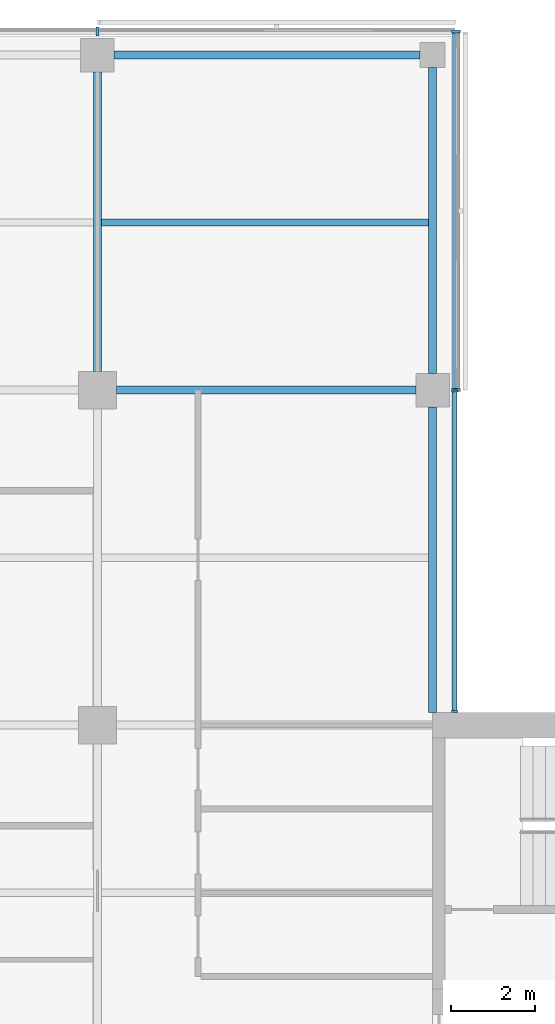
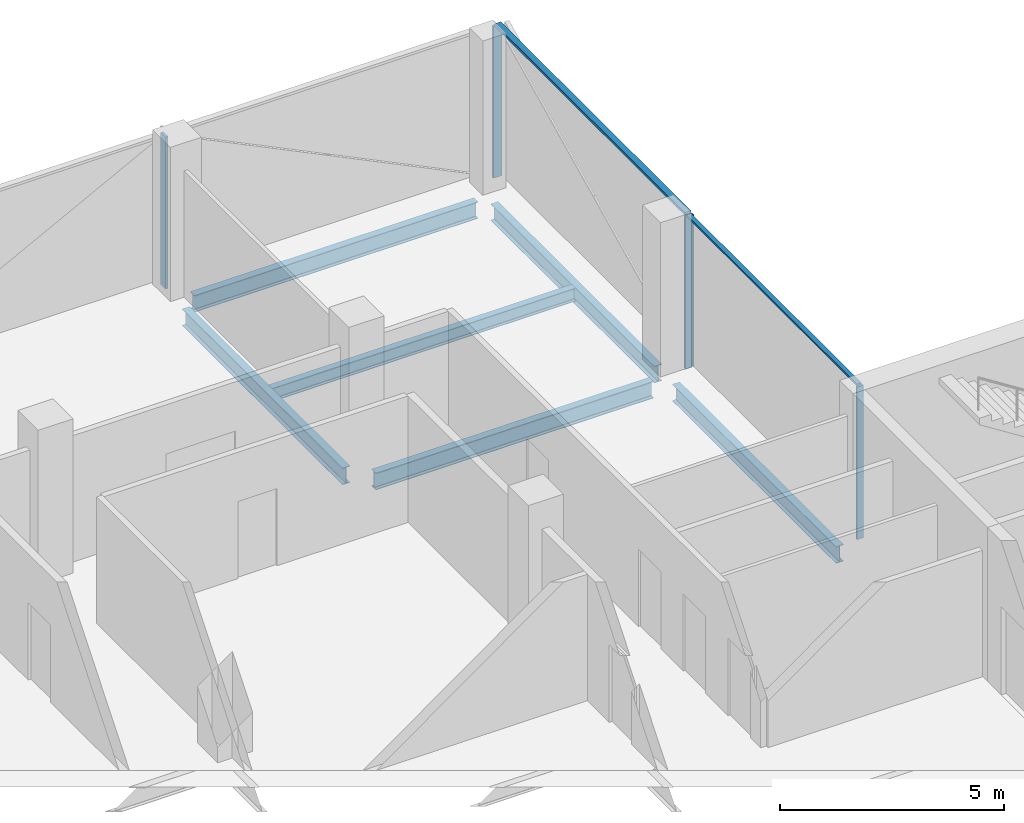
# One storey, part 7 of 15: 7 members, 6 beams, 3 elements without a shape of their own.
"""IFC4 building model written with IfcOpenShell, lengths in metres."""

from ifc_helpers import new_model, si_unit, direction, frame, origin, origin_2d, place, context, subcontext, project, spatial, rectangle, i_section, extrude, material, material_profile, profile_set, type_object, element, aggregate, save


model = new_model("IFC4")

# Units and contexts
model_context = context("Model", 3, precision=1e-05, world=origin(), true_north=direction((0.0, 1.0)))
body_context = subcontext(model_context, "Body", "Model", "MODEL_VIEW")
ifc_project = project(units=[si_unit("LENGTHUNIT", "METRE"), si_unit("AREAUNIT", "SQUARE_METRE"), si_unit("VOLUMEUNIT", "CUBIC_METRE"), si_unit("PLANEANGLEUNIT", "RADIAN"), si_unit("MASSUNIT", "GRAM", prefix="KILO")], contexts=[model_context])

# Site, building, storey
site_placement = place(None, origin())
site = spatial("IfcSite", under=ifc_project, at=site_placement, CompositionType="ELEMENT")
building_placement = place(site_placement, origin())
building = spatial("IfcBuilding", under=site, at=building_placement, Name="Crosswind Convention Tower", CompositionType="ELEMENT")
storey_placement = place(building_placement, frame((0.0, 0.0, 229.300048828125)))
storey = spatial("IfcBuildingStorey", under=building, at=storey_placement, Name="L49", CompositionType="ELEMENT", Elevation=229.300048828125)

# Beams
ifc_material_1 = material(Name="Steel S355", Category="steel")
ifc_material_profile_1 = material_profile(ifc_material_1, i_section(OverallWidth=0.18994140625, OverallDepth=0.45361328125, WebThickness=0.008544921875, FlangeThickness=0.0126953125, FilletRadius=0.01025390625, at=origin_2d()), Name="UB 457x191x67")
ifc_profile_set_1 = profile_set([ifc_material_profile_1], Name="Steel S355")
beam_type_1 = type_object("IfcBeamType", Name="Edge beam UB 457x191x67", PredefinedType="SPANDREL", material=ifc_profile_set_1)
for number, where, z_axis, x_axis, name in (
    (1, (129.39990234375, 128.0, -0.52685546875), (1.0, 0.0, 0.0), (0.0, 1.0, 0.0), "B16 L49 edge beam 10"),
    (2, (137.0, 112.300048828125, -0.52685546875), (0.0, 1.0, 0.0), (-1.0, 0.0, 0.0), "B16 L49 edge beam 13"),
    (3, (137.0, 120.39990234375, -0.52685546875), (0.0, 1.0, 0.0), (-1.0, 0.0, 0.0), "B16 L49 edge beam 14"),
):
    element("IfcBeam", number, at=place(storey_placement, frame(where, z_axis=z_axis, x_axis=x_axis)), inside=storey, type_object=beam_type_1, Name=name, PredefinedType="SPANDREL", context=body_context, shape_type="SweptSolid", body=[
        extrude(i_section(OverallWidth=0.18994140625, OverallDepth=0.45361328125, WebThickness=0.008544921875, FlangeThickness=0.0126953125, FilletRadius=0.01025390625, at=origin_2d()), origin(), (0.0, 0.0, 1.0), 7.300048828125),
    ])
ifc_material_profile_2 = material_profile(ifc_material_1, i_section(OverallWidth=0.1904296875, OverallDepth=0.457275390625, WebThickness=0.009033203125, FlangeThickness=0.014404296875, FilletRadius=0.01025390625, at=origin_2d()), Name="UB 457x191x75")
ifc_profile_set_2 = profile_set([ifc_material_profile_2], Name="Steel S355")
beam_type_2 = type_object("IfcBeamType", Name="Girder UB 457x191x75", PredefinedType="BEAM", material=ifc_profile_set_2)
for number, where, z_axis, x_axis, name in (
    (4, (129.0, 120.449951171875, -0.528564453125), (0.0, 1.0, 0.0), (-1.0, 0.0, 0.0), "B2 L49 girder 22"),
    (5, (129.449951171875, 120.0, -0.528564453125), (1.0, 0.0, 0.0), (0.0, 1.0, 0.0), "B2 L49 girder 24"),
):
    element("IfcBeam", number, at=place(storey_placement, frame(where, z_axis=z_axis, x_axis=x_axis)), inside=storey, type_object=beam_type_2, Name=name, PredefinedType="BEAM", context=body_context, shape_type="SweptSolid", body=[
        extrude(i_section(OverallWidth=0.1904296875, OverallDepth=0.457275390625, WebThickness=0.009033203125, FlangeThickness=0.014404296875, FilletRadius=0.01025390625, at=origin_2d()), origin(), (0.0, 0.0, 1.0), 7.150146484375),
    ])

# Curtain wall, members
ifc_material_2 = material(Name="Aluminium unitised curtain wall", Category="aluminium")
curtain_wall_type_1 = type_object("IfcCurtainWallType", Name="CORE END SLOT WALL 160", PredefinedType="USERDEFINED", material=ifc_material_2)
curtain_wall_1_placement = place(storey_placement, origin())
curtain_wall_1 = element("IfcCurtainWall", 6, at=curtain_wall_1_placement, inside=storey, type_object=curtain_wall_type_1, Name="CW6 L49 N-E.1-1 slot", ObjectType="UNITISED", PredefinedType="USERDEFINED")
ifc_material_3 = material(Name="Aluminium mullion", Category="aluminium")
ifc_material_profile_3 = material_profile(ifc_material_3, rectangle(XDim=0.159912109375, YDim=0.050048828125, at=origin_2d()), Name="AL 160X50")
ifc_profile_set_3 = profile_set([ifc_material_profile_3], Name="Aluminium mullion")
member_type_1 = type_object("IfcMemberType", Name="MULLION 50X160", PredefinedType="MULLION", material=ifc_profile_set_3)
member_1_placement = place(storey_placement, frame((137.530029296875, 112.324951171875, -0.300048828125), z_axis=(0.0, 0.0, 1.0), x_axis=(1.0, 0.0, 0.0)))
member_1 = element("IfcMember", 7, at=member_1_placement, type_object=member_type_1, Name="CW6 mullion 1", PredefinedType="MULLION", context=body_context, shape_type="SweptSolid", body=[
    extrude(rectangle(XDim=0.159912109375, YDim=0.050048828125, at=origin_2d()), origin(), (0.0, 0.0, 1.0), 4.14990234375),
])
member_2_placement = place(storey_placement, frame((137.530029296875, 119.97509765625, -0.300048828125), z_axis=(0.0, 0.0, 1.0), x_axis=(1.0, 0.0, 0.0)))
member_2 = element("IfcMember", 8, at=member_2_placement, type_object=member_type_1, Name="CW6 mullion 2", PredefinedType="MULLION", context=body_context, shape_type="SweptSolid", body=[
    extrude(rectangle(XDim=0.159912109375, YDim=0.050048828125, at=origin_2d()), origin(), (0.0, 0.0, 1.0), 4.14990234375),
])

curtain_wall_type_2 = type_object("IfcCurtainWallType", Name="OFFICE UNITISED WALL 220", PredefinedType="USERDEFINED", material=ifc_material_2)
curtain_wall_2_placement = place(storey_placement, origin())
curtain_wall_2 = element("IfcCurtainWall", 9, at=curtain_wall_2_placement, inside=storey, type_object=curtain_wall_type_2, Name="CW3 L49 N-E 1", ObjectType="UNITISED", PredefinedType="USERDEFINED")
ifc_material_profile_4 = material_profile(ifc_material_3, rectangle(XDim=0.219970703125, YDim=0.070068359375, at=origin_2d()), Name="AL 220X70")
ifc_profile_set_4 = profile_set([ifc_material_profile_4], Name="Aluminium mullion")
member_type_2 = type_object("IfcMemberType", Name="MULLION 70X220", PredefinedType="MULLION", material=ifc_profile_set_4)
member_3_placement = place(storey_placement, frame((137.56005859375, 120.0, -0.300048828125), z_axis=(0.0, 0.0, 1.0), x_axis=(1.0, 0.0, 0.0)))
member_3 = element("IfcMember", 10, at=member_3_placement, type_object=member_type_2, Name="CW3 mullion 1", PredefinedType="MULLION", context=body_context, shape_type="SweptSolid", body=[
    extrude(rectangle(XDim=0.219970703125, YDim=0.070068359375, at=origin_2d()), origin(), (0.0, 0.0, 1.0), 4.1298828125),
])
member_4_placement = place(storey_placement, frame((137.56005859375, 128.56005859375, -0.300048828125), z_axis=(0.0, 0.0, 1.0), x_axis=(1.0, 0.0, 0.0)))
member_4 = element("IfcMember", 11, at=member_4_placement, type_object=member_type_2, Name="CW3 mullion 2", PredefinedType="MULLION", context=body_context, shape_type="SweptSolid", body=[
    extrude(rectangle(XDim=0.219970703125, YDim=0.070068359375, at=origin_2d()), origin(), (0.0, 0.0, 1.0), 4.1298828125),
])

# Curtain wall, member
curtain_wall_3_placement = place(storey_placement, origin())
curtain_wall_3 = element("IfcCurtainWall", 12, at=curtain_wall_3_placement, inside=storey, type_object=curtain_wall_type_2, Name="CW3 L49 N-TIP 1", ObjectType="UNITISED", PredefinedType="USERDEFINED")
member_5_placement = place(storey_placement, frame((129.0, 128.56005859375, -0.300048828125), z_axis=(0.0, 0.0, 1.0), x_axis=(0.0, 1.0, 0.0)))
member_5 = element("IfcMember", 13, at=member_5_placement, type_object=member_type_2, Name="CW3 mullion 2", PredefinedType="MULLION", context=body_context, shape_type="SweptSolid", body=[
    extrude(rectangle(XDim=0.219970703125, YDim=0.070068359375, at=origin_2d()), origin(), (0.0, 0.0, 1.0), 4.1298828125),
])
aggregate(curtain_wall_3, [member_5])

# Beam
ifc_material_profile_5 = material_profile(ifc_material_1, i_section(OverallWidth=0.172119140625, OverallDepth=0.358642578125, WebThickness=0.008056640625, FlangeThickness=0.012939453125, FilletRadius=0.01025390625, at=origin_2d()), Name="UB 356x171x57")
ifc_profile_set_5 = profile_set([ifc_material_profile_5], Name="Steel S355")
beam_type_3 = type_object("IfcBeamType", Name="Secondary beam UB 356x171x57", PredefinedType="JOIST", material=ifc_profile_set_5)
beam_placement = place(storey_placement, frame((129.09521484375, 124.0, -0.479248046875), z_axis=(1.0, 0.0, 0.0), x_axis=(0.0, 1.0, 0.0)))
element("IfcBeam", 14, at=beam_placement, inside=storey, type_object=beam_type_3, Name="B9 L49 secondary beam 21", PredefinedType="JOIST", context=body_context, shape_type="SweptSolid", body=[
    extrude(i_section(OverallWidth=0.172119140625, OverallDepth=0.358642578125, WebThickness=0.008056640625, FlangeThickness=0.012939453125, FilletRadius=0.01025390625, at=origin_2d()), origin(), (0.0, 0.0, 1.0), 7.809814453125),
])

# Member
ifc_material_4 = material(Name="Aluminium transom", Category="aluminium")
ifc_material_profile_6 = material_profile(ifc_material_4, rectangle(XDim=0.1201171875, YDim=0.050048828125, at=origin_2d()), Name="AL 120X50")
ifc_profile_set_6 = profile_set([ifc_material_profile_6], Name="Aluminium transom")
member_type_3 = type_object("IfcMemberType", Name="TRANSOM 50X120", PredefinedType="USERDEFINED", material=ifc_profile_set_6)
member_6_placement = place(storey_placement, frame((137.530029296875, 112.35009765625, 3.875), z_axis=(0.0, 1.0, 0.0), x_axis=(-1.0, 0.0, 0.0)))
member_6 = element("IfcMember", 15, at=member_6_placement, type_object=member_type_3, Name="CW6 transom", ObjectType="TRANSOM", PredefinedType="USERDEFINED", context=body_context, shape_type="SweptSolid", body=[
    extrude(rectangle(XDim=0.1201171875, YDim=0.050048828125, at=origin_2d()), origin(), (0.0, 0.0, 1.0), 7.599853515625),
])

aggregate(curtain_wall_1, [member_1, member_2, member_6])

ifc_material_profile_7 = material_profile(ifc_material_4, rectangle(XDim=0.159912109375, YDim=0.070068359375, at=origin_2d()), Name="AL 160X70")
ifc_profile_set_7 = profile_set([ifc_material_profile_7], Name="Aluminium transom")
member_type_4 = type_object("IfcMemberType", Name="TRANSOM 70X160", PredefinedType="USERDEFINED", material=ifc_profile_set_7)
member_7_placement = place(storey_placement, frame((137.56005859375, 120.034912109375, 3.864990234375), z_axis=(0.0, 1.0, 0.0), x_axis=(-1.0, 0.0, 0.0)))
member_7 = element("IfcMember", 16, at=member_7_placement, type_object=member_type_4, Name="CW3 transom", ObjectType="TRANSOM", PredefinedType="USERDEFINED", context=body_context, shape_type="SweptSolid", body=[
    extrude(rectangle(XDim=0.159912109375, YDim=0.070068359375, at=origin_2d()), origin(), (0.0, 0.0, 1.0), 8.489990234375),
])

aggregate(curtain_wall_2, [member_3, member_4, member_7])

save(model, "model.ifc")
